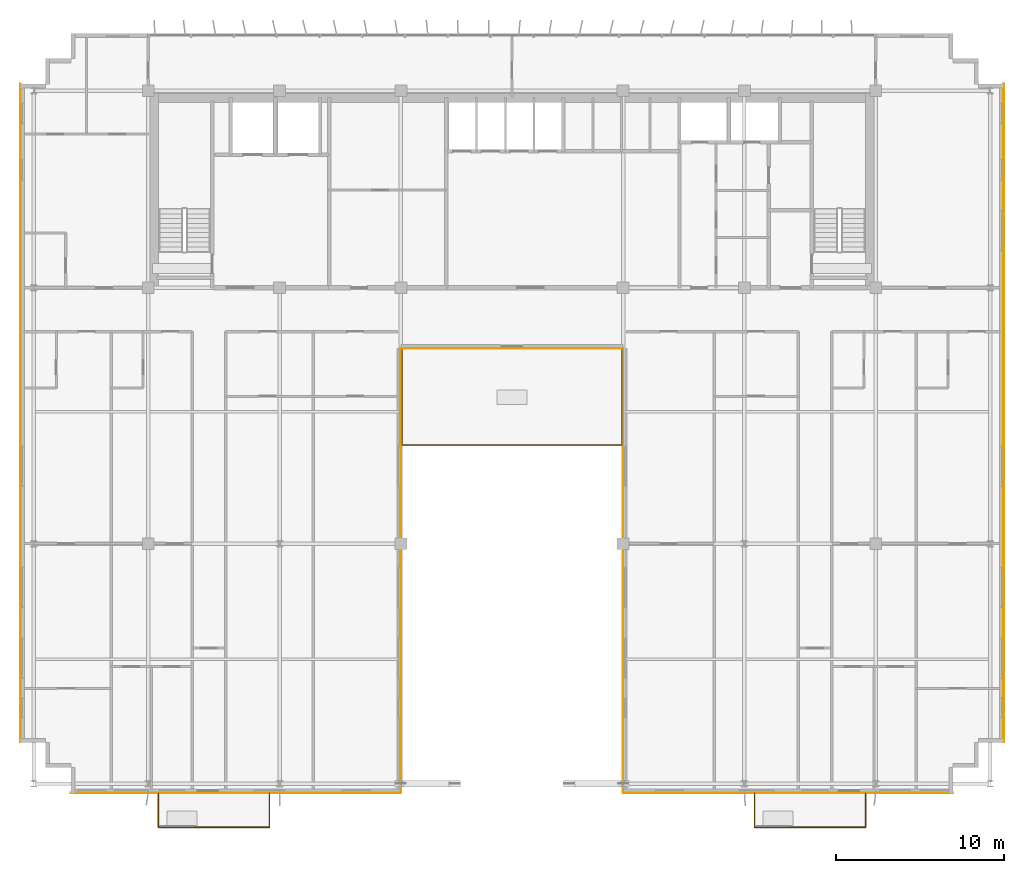
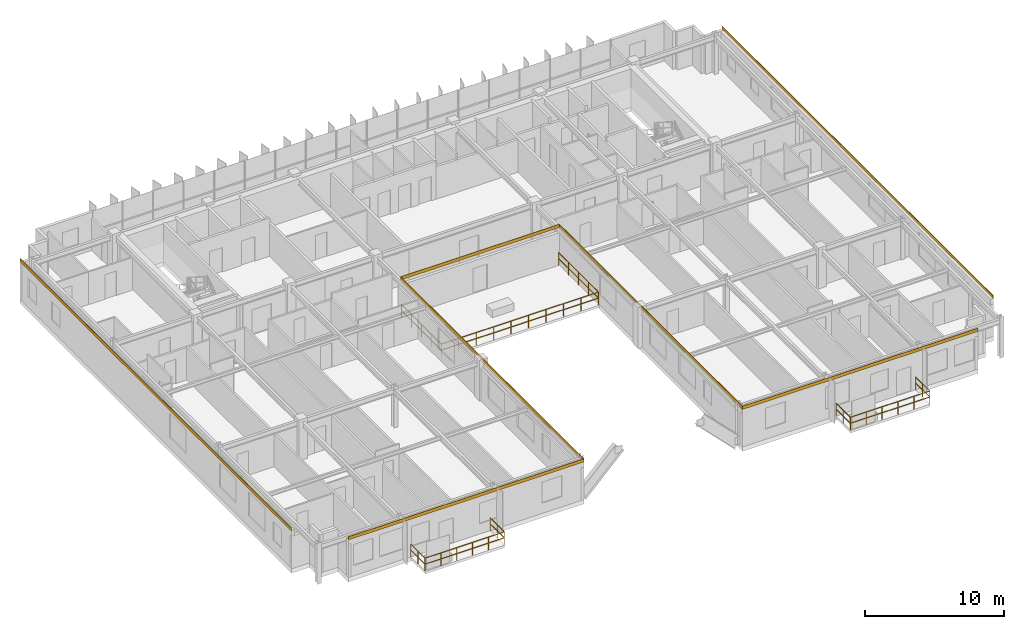
# One storey, part 22 of 23: 9 railings, 7 coverings.
"""IFC4 building model written with IfcOpenShell, lengths in metres."""

import ifcopenshell
import ifcopenshell.guid

model = None  # the IFC model being written
_history = None  # IfcOwnerHistory: only IFC2X3 demands one
_inside = {}  # id of a spatial element -> (the spatial element, [elements in it])
_under = {}  # id of a project, library or spatial element -> (it, [spatial elements below it])
_declared = {}  # id of a project -> (the project, [libraries it declares])
_typed = {}  # id of a type object -> (the type object, [elements of that type])
_made_of = {}  # id of a material, layer set ... -> (it, [elements and type objects made of it])


def new_model(schema):
    """Start an empty IFC model of exactly this schema.

    Asked for "IFC4X3", IfcOpenShell would pick the latest addendum, in which some entities
    have other attributes; the version numbers below select the first issue.
    IFC2X3 requires an IfcOwnerHistory on every rooted entity: one is made here for all.
    """
    global model, _history
    if schema == "IFC4X3":
        model = ifcopenshell.file(schema_version=(4, 3, 0, 0))
    else:
        model = ifcopenshell.file(schema=schema)
    _inside.clear()
    _under.clear()
    _declared.clear()
    _typed.clear()
    _made_of.clear()
    _history = None
    if model.schema == "IFC2X3":
        org = make("IfcOrganization", Name="unknown")
        user = make(
            "IfcPersonAndOrganization",
            ThePerson=make("IfcPerson", FamilyName="unknown"),
            TheOrganization=org,
        )
        app = make(
            "IfcApplication",
            ApplicationDeveloper=org,
            Version="unknown",
            ApplicationFullName="unknown",
            ApplicationIdentifier="unknown",
        )
        _history = make(
            "IfcOwnerHistory",
            OwningUser=user,
            OwningApplication=app,
            ChangeAction="ADDED",
            CreationDate=0,
        )
    return model


def make(cls, **values):
    """One entity of the class cls with the attributes given. An attribute that is None is left unset."""
    return model.create_entity(
        cls, **{name: value for name, value in values.items() if value is not None}
    )


def rooted(cls, **values):
    """An entity with a GlobalId (a new one), such as an element, a storey or a relation."""
    return make(cls, GlobalId=ifcopenshell.guid.new(), OwnerHistory=_history, **values)


def si_unit(unit_type, name, prefix=None):
    """IfcSIUnit, for example si_unit("LENGTHUNIT", "METRE", prefix="MILLI")."""
    return make("IfcSIUnit", UnitType=unit_type, Prefix=prefix, Name=name)


def assignment(units):
    """IfcUnitAssignment: the units of a project."""
    return None if units is None else make("IfcUnitAssignment", Units=units)


def point(xyz):
    """IfcCartesianPoint."""
    return None if xyz is None else make("IfcCartesianPoint", Coordinates=xyz)


def direction(xyz):
    """IfcDirection."""
    return None if xyz is None else make("IfcDirection", DirectionRatios=xyz)


def frame(location, z_axis=None, x_axis=None):
    """IfcAxis2Placement3D, a coordinate frame: its origin and axes. An axis left out is left unset."""
    return make(
        "IfcAxis2Placement3D",
        Location=point(location),
        Axis=direction(z_axis),
        RefDirection=direction(x_axis),
    )


def frame_2d(location, x_axis=None):
    """IfcAxis2Placement2D, a coordinate frame in the plane: its origin and x axis."""
    return make(
        "IfcAxis2Placement2D", Location=point(location), RefDirection=direction(x_axis)
    )


def origin():
    """The frame at (0, 0, 0) with its axes left unset."""
    return frame((0.0, 0.0, 0.0))


def origin_2d():
    """The frame at (0, 0) in the plane with its x axis left unset."""
    return frame_2d((0.0, 0.0))


def place(relative_to, where):
    """IfcLocalPlacement: puts the frame where relative to a parent placement (None: the world)."""
    return make(
        "IfcLocalPlacement", PlacementRelTo=relative_to, RelativePlacement=where
    )


def context(
    kind, dimensions, precision=None, world=None, true_north=None, identifier=None
):
    """IfcGeometricRepresentationContext, for example the 3D "Model" context."""
    return make(
        "IfcGeometricRepresentationContext",
        ContextIdentifier=identifier,
        ContextType=kind,
        CoordinateSpaceDimension=dimensions,
        Precision=precision,
        WorldCoordinateSystem=world,
        TrueNorth=true_north,
    )


def subcontext(parent, identifier, kind, view, scale=None):
    """IfcGeometricRepresentationSubContext, for example "Body" below "Model"."""
    return make(
        "IfcGeometricRepresentationSubContext",
        ContextIdentifier=identifier,
        ContextType=kind,
        ParentContext=parent,
        TargetScale=scale,
        TargetView=view,
    )


def project(units=None, contexts=None):
    """IfcProject with its units and contexts."""
    return rooted(
        "IfcProject",
        Name="project",
        RepresentationContexts=contexts,
        UnitsInContext=assignment(units),
    )


def spatial(cls, under=None, at=None, **own):
    """A site, building, storey or space (cls), placed at a placement, below another one or the project."""
    s = rooted(cls, ObjectPlacement=at, **own)
    if under is not None:
        _under.setdefault(under.id(), (under, []))[1].append(s)
    return s


def profile(cls, at=None, kind="AREA", **sizes):
    """A parametric profile (cls). Its sizes go by their IFC names, for example OverallWidth=200.0."""
    return make(cls, ProfileType=kind, Position=at, **sizes)


def rectangle(**sizes):
    """IfcRectangleProfileDef."""
    return profile("IfcRectangleProfileDef", **sizes)


def extrude(swept, where, along, depth):
    """IfcExtrudedAreaSolid: the profile swept, set in the frame where, extruded along a direction by depth."""
    return make(
        "IfcExtrudedAreaSolid",
        SweptArea=swept,
        Position=where,
        ExtrudedDirection=direction(along),
        Depth=depth,
    )


def shape(context_of_items, identifier, shape_type, items):
    """IfcShapeRepresentation: the items that make up one representation, for example the "Body"."""
    return make(
        "IfcShapeRepresentation",
        ContextOfItems=context_of_items,
        RepresentationIdentifier=identifier,
        RepresentationType=shape_type,
        Items=items,
    )


def source(mapping_origin, context_of_items, identifier, shape_type, items):
    """IfcRepresentationMap: a shape defined once, which mapped items show again and again."""
    return make(
        "IfcRepresentationMap",
        MappingOrigin=mapping_origin,
        MappedRepresentation=shape(context_of_items, identifier, shape_type, items),
    )


def transform(
    local_origin,
    x_axis=None,
    y_axis=None,
    z_axis=None,
    scale=None,
    scale2=None,
    scale3=None,
    uniform=True,
):
    """IfcCartesianTransformationOperator3D, or its non-uniform kind. x_axis, y_axis, z_axis: its Axis1, 2, 3."""
    if uniform:
        return make(
            "IfcCartesianTransformationOperator3D",
            Axis1=direction(x_axis),
            Axis2=direction(y_axis),
            LocalOrigin=point(local_origin),
            Scale=scale,
            Axis3=direction(z_axis),
        )
    return make(
        "IfcCartesianTransformationOperator3DnonUniform",
        Axis1=direction(x_axis),
        Axis2=direction(y_axis),
        LocalOrigin=point(local_origin),
        Scale=scale,
        Axis3=direction(z_axis),
        Scale2=scale2,
        Scale3=scale3,
    )


def mapped(mapping_source, mapping_target):
    """IfcMappedItem: shows the shape of a source again, moved by a transform."""
    return make(
        "IfcMappedItem", MappingSource=mapping_source, MappingTarget=mapping_target
    )


def material(Name=None, Category=None):
    """IfcMaterial."""
    return make("IfcMaterial", Name=Name, Category=Category)


def layer(
    of_material, thickness, ventilated=None, Name=None, Category=None, Priority=None
):
    """IfcMaterialLayer: one layer of a wall or slab, of a material (None: an air gap)."""
    return make(
        "IfcMaterialLayer",
        Material=of_material,
        LayerThickness=thickness,
        IsVentilated=ventilated,
        Name=Name,
        Category=Category,
        Priority=Priority,
    )


def layer_set(layers, Name=None):
    """IfcMaterialLayerSet."""
    return make("IfcMaterialLayerSet", MaterialLayers=layers, LayerSetName=Name)


def made_of(thing, what):
    """Note that an element or type object is made of a material, layer set ...; save() writes the relation."""
    if what is not None:
        _made_of.setdefault(what.id(), (what, []))[1].append(thing)
    return thing


def type_object(cls, material=None, **own):
    """A type object (cls), such as IfcWallType, which elements share."""
    return made_of(rooted(cls, **own), material)


def element(
    cls,
    number,
    at=None,
    inside=None,
    cuts=None,
    type_object=None,
    material=None,
    context=None,
    identifier="Body",
    shape_type=None,
    held_by="IfcProductDefinitionShape",
    body=None,
    shapes=None,
    **own,
):
    """One element of the class cls, such as IfcWall. Its Tag is "e" and its number.

    at: its placement. inside: the storey or other place that contains it. cuts: it is an
    opening in that element (IfcRelVoidsElement). A single representation is given by context,
    identifier, shape_type and body (its items); several are given by shapes. held_by: the class
    of the entity that holds the representations. save() writes the other relations.
    """
    e = rooted(cls, Tag="e%d" % number, ObjectPlacement=at, **own)
    if body is not None:
        shapes = [shape(context, identifier, shape_type, body)]
    if shapes is not None:
        e.Representation = make(held_by, Representations=shapes)
    if inside is not None:
        _inside.setdefault(inside.id(), (inside, []))[1].append(e)
    if cuts is not None:
        rooted(
            "IfcRelVoidsElement", RelatingBuildingElement=cuts, RelatedOpeningElement=e
        )
    if type_object is not None:
        _typed.setdefault(type_object.id(), (type_object, []))[1].append(e)
    return made_of(e, material)


def aggregate(whole, parts):
    """IfcRelAggregates: a whole, such as a stair, and the parts it consists of."""
    return rooted("IfcRelAggregates", RelatingObject=whole, RelatedObjects=parts)


def save(model, path):
    """Write the relations noted so far, then the file.

    IfcRelAggregates (storeys below a building ...), IfcRelContainedInSpatialStructure (elements
    in a storey), IfcRelDefinesByType, IfcRelAssociatesMaterial and IfcRelDeclares: one each for
    every whole, place, type object, material and project.
    """
    for whole, parts in _under.values():
        aggregate(whole, parts)
    for where, things in _inside.values():
        rooted(
            "IfcRelContainedInSpatialStructure",
            RelatedElements=things,
            RelatingStructure=where,
        )
    for kind, things in _typed.values():
        rooted("IfcRelDefinesByType", RelatedObjects=things, RelatingType=kind)
    for what, things in _made_of.values():
        rooted("IfcRelAssociatesMaterial", RelatedObjects=things, RelatingMaterial=what)
    for by, libraries in _declared.values():
        rooted("IfcRelDeclares", RelatingContext=by, RelatedDefinitions=libraries)
    model.write(path)


model = new_model("IFC4")

# Units and contexts
model_context = context("Model", 3, precision=1e-05, world=origin(), true_north=direction((0.0, 1.0)))
body_context = subcontext(model_context, "Body", "Model", "MODEL_VIEW")
ifc_project = project(units=[si_unit("LENGTHUNIT", "METRE"), si_unit("AREAUNIT", "SQUARE_METRE"), si_unit("VOLUMEUNIT", "CUBIC_METRE"), si_unit("PLANEANGLEUNIT", "RADIAN"), si_unit("MASSUNIT", "GRAM", prefix="KILO")], contexts=[model_context])

# Site, building, storey
site_placement = place(None, origin())
site = spatial("IfcSite", under=ifc_project, at=site_placement, CompositionType="ELEMENT")
building_placement = place(site_placement, origin())
building = spatial("IfcBuilding", under=site, at=building_placement, Name="Trelvane Seafront Commons", CompositionType="ELEMENT")
storey_placement = place(building_placement, frame((0.0, 0.0, 190.5)))
storey = spatial("IfcBuildingStorey", under=building, at=storey_placement, Name="L49", CompositionType="ELEMENT", Elevation=190.5)

# Railings
ifc_material_1 = material(Name="Stainless steel balustrade", Category="steel")
railing_type = type_object("IfcRailingType", Name="ARCH-RAIL-BAL1150", PredefinedType="BALUSTRADE", material=ifc_material_1)
railing_1_placement = place(storey_placement, frame((30.659912109375, 29.800048828125, 0.0)))
element("IfcRailing", 1, at=railing_1_placement, inside=storey, type_object=railing_type, Name="RL-L49-TR0-01", PredefinedType="BALUSTRADE", context=body_context, shape_type="SweptSolid", body=[
    extrude(rectangle(XDim=0.048095703125, YDim=0.048095703125, at=origin_2d()), frame((0.0, 0.0, 1.1259765625), z_axis=(0.0, -1.0, 0.0), x_axis=(1.0, 0.0, 0.0)), (0.0, 0.0, 1.0), 5.739990234375),
    extrude(rectangle(XDim=0.048095703125, YDim=0.048095703125, at=origin_2d()), frame((0.0, 0.0, 0.597900390625), z_axis=(0.0, -1.0, 0.0), x_axis=(1.0, 0.0, 0.0)), (0.0, 0.0, 1.0), 5.739990234375),
    extrude(rectangle(XDim=0.0419921875, YDim=0.0419921875, at=origin_2d()), origin(), (0.0, 0.0, 1.0), 1.1259765625),
    extrude(rectangle(XDim=0.0419921875, YDim=0.0419921875, at=origin_2d()), frame((0.0, -1.43505859375, 0.0)), (0.0, 0.0, 1.0), 1.1259765625),
    extrude(rectangle(XDim=0.0419921875, YDim=0.0419921875, at=origin_2d()), frame((0.0, -2.8701171875, 0.0)), (0.0, 0.0, 1.0), 1.1259765625),
    extrude(rectangle(XDim=0.0419921875, YDim=0.0419921875, at=origin_2d()), frame((0.0, -4.304931640625, 0.0)), (0.0, 0.0, 1.0), 1.1259765625),
    extrude(rectangle(XDim=0.0419921875, YDim=0.0419921875, at=origin_2d()), frame((0.0, -5.739990234375, 0.0)), (0.0, 0.0, 1.0), 1.1259765625),
])
railing_2_placement = place(storey_placement, frame((30.659912109375, 24.06005859375, 0.0)))
element("IfcRailing", 2, at=railing_2_placement, inside=storey, type_object=railing_type, Name="RL-L49-TR0-02", PredefinedType="BALUSTRADE", context=body_context, shape_type="SweptSolid", body=[
    extrude(rectangle(XDim=0.048095703125, YDim=0.048095703125, at=origin_2d()), frame((0.0, 0.0, 1.1259765625), z_axis=(1.0, 0.0, 0.0), x_axis=(0.0, 1.0, 0.0)), (0.0, 0.0, 1.0), 13.080078125),
    extrude(rectangle(XDim=0.048095703125, YDim=0.048095703125, at=origin_2d()), frame((0.0, 0.0, 0.597900390625), z_axis=(1.0, 0.0, 0.0), x_axis=(0.0, 1.0, 0.0)), (0.0, 0.0, 1.0), 13.080078125),
    extrude(rectangle(XDim=0.0419921875, YDim=0.0419921875, at=origin_2d()), origin(), (0.0, 0.0, 1.0), 1.1259765625),
    extrude(rectangle(XDim=0.0419921875, YDim=0.0419921875, at=origin_2d()), frame((1.453369140625, 0.0, 0.0)), (0.0, 0.0, 1.0), 1.1259765625),
    extrude(rectangle(XDim=0.0419921875, YDim=0.0419921875, at=origin_2d()), frame((2.90673828125, 0.0, 0.0)), (0.0, 0.0, 1.0), 1.1259765625),
    extrude(rectangle(XDim=0.0419921875, YDim=0.0419921875, at=origin_2d()), frame((4.360107421875, 0.0, 0.0)), (0.0, 0.0, 1.0), 1.1259765625),
    extrude(rectangle(XDim=0.0419921875, YDim=0.0419921875, at=origin_2d()), frame((5.8134765625, 0.0, 0.0)), (0.0, 0.0, 1.0), 1.1259765625),
    extrude(rectangle(XDim=0.0419921875, YDim=0.0419921875, at=origin_2d()), frame((7.2666015625, 0.0, 0.0)), (0.0, 0.0, 1.0), 1.1259765625),
    extrude(rectangle(XDim=0.0419921875, YDim=0.0419921875, at=origin_2d()), frame((8.719970703125, 0.0, 0.0)), (0.0, 0.0, 1.0), 1.1259765625),
    extrude(rectangle(XDim=0.0419921875, YDim=0.0419921875, at=origin_2d()), frame((10.17333984375, 0.0, 0.0)), (0.0, 0.0, 1.0), 1.1259765625),
    extrude(rectangle(XDim=0.0419921875, YDim=0.0419921875, at=origin_2d()), frame((11.626708984375, 0.0, 0.0)), (0.0, 0.0, 1.0), 1.1259765625),
    extrude(rectangle(XDim=0.0419921875, YDim=0.0419921875, at=origin_2d()), frame((13.080078125, 0.0, 0.0)), (0.0, 0.0, 1.0), 1.1259765625),
])
railing_3_placement = place(storey_placement, frame((43.739990234375, 24.06005859375, 0.0)))
element("IfcRailing", 3, at=railing_3_placement, inside=storey, type_object=railing_type, Name="RL-L49-TR0-03", PredefinedType="BALUSTRADE", context=body_context, shape_type="SweptSolid", body=[
    extrude(rectangle(XDim=0.048095703125, YDim=0.048095703125, at=origin_2d()), frame((0.0, 0.0, 1.1259765625), z_axis=(0.0, 1.0, 0.0), x_axis=(-1.0, 0.0, 0.0)), (0.0, 0.0, 1.0), 5.739990234375),
    extrude(rectangle(XDim=0.048095703125, YDim=0.048095703125, at=origin_2d()), frame((0.0, 0.0, 0.597900390625), z_axis=(0.0, 1.0, 0.0), x_axis=(-1.0, 0.0, 0.0)), (0.0, 0.0, 1.0), 5.739990234375),
    extrude(rectangle(XDim=0.0419921875, YDim=0.0419921875, at=origin_2d()), origin(), (0.0, 0.0, 1.0), 1.1259765625),
    extrude(rectangle(XDim=0.0419921875, YDim=0.0419921875, at=origin_2d()), frame((0.0, 1.43505859375, 0.0)), (0.0, 0.0, 1.0), 1.1259765625),
    extrude(rectangle(XDim=0.0419921875, YDim=0.0419921875, at=origin_2d()), frame((0.0, 2.8701171875, 0.0)), (0.0, 0.0, 1.0), 1.1259765625),
    extrude(rectangle(XDim=0.0419921875, YDim=0.0419921875, at=origin_2d()), frame((0.0, 4.304931640625, 0.0)), (0.0, 0.0, 1.0), 1.1259765625),
    extrude(rectangle(XDim=0.0419921875, YDim=0.0419921875, at=origin_2d()), frame((0.0, 5.739990234375, 0.0)), (0.0, 0.0, 1.0), 1.1259765625),
])
railing_4_placement = place(storey_placement, frame((16.199951171875, 3.39990234375, 0.0)))
element("IfcRailing", 4, at=railing_4_placement, inside=storey, type_object=railing_type, Name="RL-L49-BAL0-01", PredefinedType="BALUSTRADE", context=body_context, shape_type="SweptSolid", body=[
    extrude(rectangle(XDim=0.048095703125, YDim=0.048095703125, at=origin_2d()), frame((0.0, 0.0, 1.1259765625), z_axis=(0.0, -1.0, 0.0), x_axis=(1.0, 0.0, 0.0)), (0.0, 0.0, 1.0), 2.039794921875),
    extrude(rectangle(XDim=0.048095703125, YDim=0.048095703125, at=origin_2d()), frame((0.0, 0.0, 0.597900390625), z_axis=(0.0, -1.0, 0.0), x_axis=(1.0, 0.0, 0.0)), (0.0, 0.0, 1.0), 2.039794921875),
    extrude(rectangle(XDim=0.0419921875, YDim=0.0419921875, at=origin_2d()), origin(), (0.0, 0.0, 1.0), 1.1259765625),
    extrude(rectangle(XDim=0.0419921875, YDim=0.0419921875, at=origin_2d()), frame((0.0, -1.02001953125, 0.0)), (0.0, 0.0, 1.0), 1.1259765625),
    extrude(rectangle(XDim=0.0419921875, YDim=0.0419921875, at=origin_2d()), frame((0.0, -2.039794921875, 0.0)), (0.0, 0.0, 1.0), 1.1259765625),
])
railing_5_placement = place(storey_placement, frame((16.199951171875, 1.360107421875, 0.0)))
element("IfcRailing", 5, at=railing_5_placement, inside=storey, type_object=railing_type, Name="RL-L49-BAL0-02", PredefinedType="BALUSTRADE", context=body_context, shape_type="SweptSolid", body=[
    extrude(rectangle(XDim=0.048095703125, YDim=0.048095703125, at=origin_2d()), frame((0.0, 0.0, 1.1259765625), z_axis=(1.0, 0.0, 0.0), x_axis=(0.0, 1.0, 0.0)), (0.0, 0.0, 1.0), 6.60009765625),
    extrude(rectangle(XDim=0.048095703125, YDim=0.048095703125, at=origin_2d()), frame((0.0, 0.0, 0.597900390625), z_axis=(1.0, 0.0, 0.0), x_axis=(0.0, 1.0, 0.0)), (0.0, 0.0, 1.0), 6.60009765625),
    extrude(rectangle(XDim=0.0419921875, YDim=0.0419921875, at=origin_2d()), origin(), (0.0, 0.0, 1.0), 1.1259765625),
    extrude(rectangle(XDim=0.0419921875, YDim=0.0419921875, at=origin_2d()), frame((1.320068359375, 0.0, 0.0)), (0.0, 0.0, 1.0), 1.1259765625),
    extrude(rectangle(XDim=0.0419921875, YDim=0.0419921875, at=origin_2d()), frame((2.64013671875, 0.0, 0.0)), (0.0, 0.0, 1.0), 1.1259765625),
    extrude(rectangle(XDim=0.0419921875, YDim=0.0419921875, at=origin_2d()), frame((3.9599609375, 0.0, 0.0)), (0.0, 0.0, 1.0), 1.1259765625),
    extrude(rectangle(XDim=0.0419921875, YDim=0.0419921875, at=origin_2d()), frame((5.280029296875, 0.0, 0.0)), (0.0, 0.0, 1.0), 1.1259765625),
    extrude(rectangle(XDim=0.0419921875, YDim=0.0419921875, at=origin_2d()), frame((6.60009765625, 0.0, 0.0)), (0.0, 0.0, 1.0), 1.1259765625),
])
railing_6_placement = place(storey_placement, frame((22.800048828125, 1.360107421875, 0.0)))
element("IfcRailing", 6, at=railing_6_placement, inside=storey, type_object=railing_type, Name="RL-L49-BAL0-03", PredefinedType="BALUSTRADE", context=body_context, shape_type="SweptSolid", body=[
    extrude(rectangle(XDim=0.048095703125, YDim=0.048095703125, at=origin_2d()), frame((0.0, 0.0, 1.1259765625), z_axis=(0.0, 1.0, 0.0), x_axis=(-1.0, 0.0, 0.0)), (0.0, 0.0, 1.0), 2.039794921875),
    extrude(rectangle(XDim=0.048095703125, YDim=0.048095703125, at=origin_2d()), frame((0.0, 0.0, 0.597900390625), z_axis=(0.0, 1.0, 0.0), x_axis=(-1.0, 0.0, 0.0)), (0.0, 0.0, 1.0), 2.039794921875),
    extrude(rectangle(XDim=0.0419921875, YDim=0.0419921875, at=origin_2d()), origin(), (0.0, 0.0, 1.0), 1.1259765625),
    extrude(rectangle(XDim=0.0419921875, YDim=0.0419921875, at=origin_2d()), frame((0.0, 1.02001953125, 0.0)), (0.0, 0.0, 1.0), 1.1259765625),
    extrude(rectangle(XDim=0.0419921875, YDim=0.0419921875, at=origin_2d()), frame((0.0, 2.039794921875, 0.0)), (0.0, 0.0, 1.0), 1.1259765625),
])
railing_7_placement = place(storey_placement, frame((51.60009765625, 3.39990234375, 0.0)))
element("IfcRailing", 7, at=railing_7_placement, inside=storey, type_object=railing_type, Name="RL-L49-BAL1-01", PredefinedType="BALUSTRADE", context=body_context, shape_type="SweptSolid", body=[
    extrude(rectangle(XDim=0.048095703125, YDim=0.048095703125, at=origin_2d()), frame((0.0, 0.0, 1.1259765625), z_axis=(0.0, -1.0, 0.0), x_axis=(1.0, 0.0, 0.0)), (0.0, 0.0, 1.0), 2.039794921875),
    extrude(rectangle(XDim=0.048095703125, YDim=0.048095703125, at=origin_2d()), frame((0.0, 0.0, 0.597900390625), z_axis=(0.0, -1.0, 0.0), x_axis=(1.0, 0.0, 0.0)), (0.0, 0.0, 1.0), 2.039794921875),
    extrude(rectangle(XDim=0.0419921875, YDim=0.0419921875, at=origin_2d()), origin(), (0.0, 0.0, 1.0), 1.1259765625),
    extrude(rectangle(XDim=0.0419921875, YDim=0.0419921875, at=origin_2d()), frame((0.0, -1.02001953125, 0.0)), (0.0, 0.0, 1.0), 1.1259765625),
    extrude(rectangle(XDim=0.0419921875, YDim=0.0419921875, at=origin_2d()), frame((0.0, -2.039794921875, 0.0)), (0.0, 0.0, 1.0), 1.1259765625),
])
railing_8_placement = place(storey_placement, frame((51.60009765625, 1.360107421875, 0.0)))
element("IfcRailing", 8, at=railing_8_placement, inside=storey, type_object=railing_type, Name="RL-L49-BAL1-02", PredefinedType="BALUSTRADE", context=body_context, shape_type="SweptSolid", body=[
    extrude(rectangle(XDim=0.048095703125, YDim=0.048095703125, at=origin_2d()), frame((0.0, 0.0, 1.1259765625), z_axis=(1.0, 0.0, 0.0), x_axis=(0.0, 1.0, 0.0)), (0.0, 0.0, 1.0), 6.599853515625),
    extrude(rectangle(XDim=0.048095703125, YDim=0.048095703125, at=origin_2d()), frame((0.0, 0.0, 0.597900390625), z_axis=(1.0, 0.0, 0.0), x_axis=(0.0, 1.0, 0.0)), (0.0, 0.0, 1.0), 6.599853515625),
    extrude(rectangle(XDim=0.0419921875, YDim=0.0419921875, at=origin_2d()), origin(), (0.0, 0.0, 1.0), 1.1259765625),
    extrude(rectangle(XDim=0.0419921875, YDim=0.0419921875, at=origin_2d()), frame((1.320068359375, 0.0, 0.0)), (0.0, 0.0, 1.0), 1.1259765625),
    extrude(rectangle(XDim=0.0419921875, YDim=0.0419921875, at=origin_2d()), frame((2.639892578125, 0.0, 0.0)), (0.0, 0.0, 1.0), 1.1259765625),
    extrude(rectangle(XDim=0.0419921875, YDim=0.0419921875, at=origin_2d()), frame((3.9599609375, 0.0, 0.0)), (0.0, 0.0, 1.0), 1.1259765625),
    extrude(rectangle(XDim=0.0419921875, YDim=0.0419921875, at=origin_2d()), frame((5.27978515625, 0.0, 0.0)), (0.0, 0.0, 1.0), 1.1259765625),
    extrude(rectangle(XDim=0.0419921875, YDim=0.0419921875, at=origin_2d()), frame((6.599853515625, 0.0, 0.0)), (0.0, 0.0, 1.0), 1.1259765625),
])
railing_9_placement = place(storey_placement, frame((58.199951171875, 1.360107421875, 0.0)))
element("IfcRailing", 9, at=railing_9_placement, inside=storey, type_object=railing_type, Name="RL-L49-BAL1-03", PredefinedType="BALUSTRADE", context=body_context, shape_type="SweptSolid", body=[
    extrude(rectangle(XDim=0.048095703125, YDim=0.048095703125, at=origin_2d()), frame((0.0, 0.0, 1.1259765625), z_axis=(0.0, 1.0, 0.0), x_axis=(-1.0, 0.0, 0.0)), (0.0, 0.0, 1.0), 2.039794921875),
    extrude(rectangle(XDim=0.048095703125, YDim=0.048095703125, at=origin_2d()), frame((0.0, 0.0, 0.597900390625), z_axis=(0.0, 1.0, 0.0), x_axis=(-1.0, 0.0, 0.0)), (0.0, 0.0, 1.0), 2.039794921875),
    extrude(rectangle(XDim=0.0419921875, YDim=0.0419921875, at=origin_2d()), origin(), (0.0, 0.0, 1.0), 1.1259765625),
    extrude(rectangle(XDim=0.0419921875, YDim=0.0419921875, at=origin_2d()), frame((0.0, 1.02001953125, 0.0)), (0.0, 0.0, 1.0), 1.1259765625),
    extrude(rectangle(XDim=0.0419921875, YDim=0.0419921875, at=origin_2d()), frame((0.0, 2.039794921875, 0.0)), (0.0, 0.0, 1.0), 1.1259765625),
])

# Coverings
ifc_material_2 = material(Name="Anodised pale-silver aluminium", Category="aluminium")
ifc_layer = layer(ifc_material_2, 0.034912109375, Name="ARCH-COV-CLAD35")
ifc_layer_set = layer_set([ifc_layer], Name="Anodised pale-silver aluminium")
covering_type = type_object("IfcCoveringType", Name="ARCH-COV-CLAD35", PredefinedType="CLADDING", material=ifc_layer_set)
shared_shape_1 = source(origin(), body_context, "Body", "SweptSolid", [
    extrude(rectangle(XDim=39.10009765625, YDim=0.034912109375, at=origin_2d()), origin(), (0.0, 0.0, 1.0), 0.280029296875),
])
for number, where, z_axis, x_axis, name in (
    (10, (8.0, 25.949951171875, 3.31982421875), (0.0, 0.0, 1.0), (0.0, 1.0, 0.0), "CLD-L49-00195"),
    (11, (66.39990234375, 25.949951171875, 3.31982421875), (0.0, 0.0, 1.0), (0.0, -1.0, 0.0), "CLD-L49-00196"),
):
    element("IfcCovering", number, at=place(storey_placement, frame(where, z_axis=z_axis, x_axis=x_axis)), inside=storey, type_object=covering_type, Name=name, PredefinedType="CLADDING", context=body_context, shape_type="MappedRepresentation", body=[
        mapped(shared_shape_1, transform((0.0, 0.0, 0.0), x_axis=(1.0, 0.0, 0.0), y_axis=(0.0, 1.0, 0.0), z_axis=(0.0, 0.0, 1.0), scale=1.0)),
    ])
shared_shape_2 = source(origin(), body_context, "Body", "SweptSolid", [
    extrude(rectangle(XDim=19.60009765625, YDim=0.034912109375, at=origin_2d()), origin(), (0.0, 0.0, 1.0), 0.280029296875),
])
for number, where, z_axis, x_axis, name in (
    (12, (53.60009765625, 3.39990234375, 3.31982421875), (0.0, 0.0, 1.0), (-1.0, 0.0, 0.0), "CLD-L49-00197"),
    (13, (20.800048828125, 3.39990234375, 3.31982421875), (0.0, 0.0, 1.0), (-1.0, 0.0, 0.0), "CLD-L49-00201"),
):
    element("IfcCovering", number, at=place(storey_placement, frame(where, z_axis=z_axis, x_axis=x_axis)), inside=storey, type_object=covering_type, Name=name, PredefinedType="CLADDING", context=body_context, shape_type="MappedRepresentation", body=[
        mapped(shared_shape_2, transform((0.0, 0.0, 0.0), x_axis=(1.0, 0.0, 0.0), y_axis=(0.0, 1.0, 0.0), z_axis=(0.0, 0.0, 1.0), scale=1.0)),
    ])
shared_shape_3 = source(origin(), body_context, "Body", "SweptSolid", [
    extrude(rectangle(XDim=26.39990234375, YDim=0.034912109375, at=origin_2d()), origin(), (0.0, 0.0, 1.0), 0.280029296875),
])
for number, where, z_axis, x_axis, name in (
    (14, (43.800048828125, 16.60009765625, 3.31982421875), (0.0, 0.0, 1.0), (0.0, 1.0, 0.0), "CLD-L49-00198"),
    (15, (30.60009765625, 16.60009765625, 3.31982421875), (0.0, 0.0, 1.0), (0.0, -1.0, 0.0), "CLD-L49-00200"),
):
    element("IfcCovering", number, at=place(storey_placement, frame(where, z_axis=z_axis, x_axis=x_axis)), inside=storey, type_object=covering_type, Name=name, PredefinedType="CLADDING", context=body_context, shape_type="MappedRepresentation", body=[
        mapped(shared_shape_3, transform((0.0, 0.0, 0.0), x_axis=(1.0, 0.0, 0.0), y_axis=(0.0, 1.0, 0.0), z_axis=(0.0, 0.0, 1.0), scale=1.0)),
    ])
shared_shape_4 = source(origin(), body_context, "Body", "SweptSolid", [
    extrude(rectangle(XDim=13.199951171875, YDim=0.034912109375, at=origin_2d()), origin(), (0.0, 0.0, 1.0), 0.280029296875),
])
covering_placement = place(storey_placement, frame((37.199951171875, 29.800048828125, 3.31982421875), z_axis=(0.0, 0.0, 1.0), x_axis=(-1.0, 0.0, 0.0)))
element("IfcCovering", 16, at=covering_placement, inside=storey, type_object=covering_type, Name="CLD-L49-00199", PredefinedType="CLADDING", context=body_context, shape_type="MappedRepresentation", body=[
    mapped(shared_shape_4, transform((0.0, 0.0, 0.0), x_axis=(1.0, 0.0, 0.0), y_axis=(0.0, 1.0, 0.0), z_axis=(0.0, 0.0, 1.0), scale=1.0)),
])

save(model, "model.ifc")
